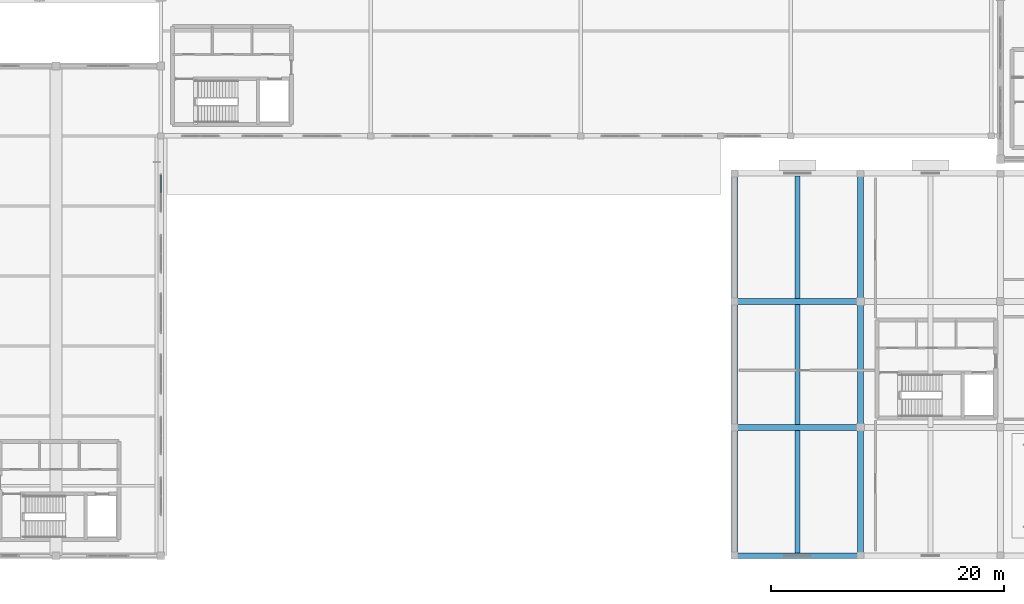
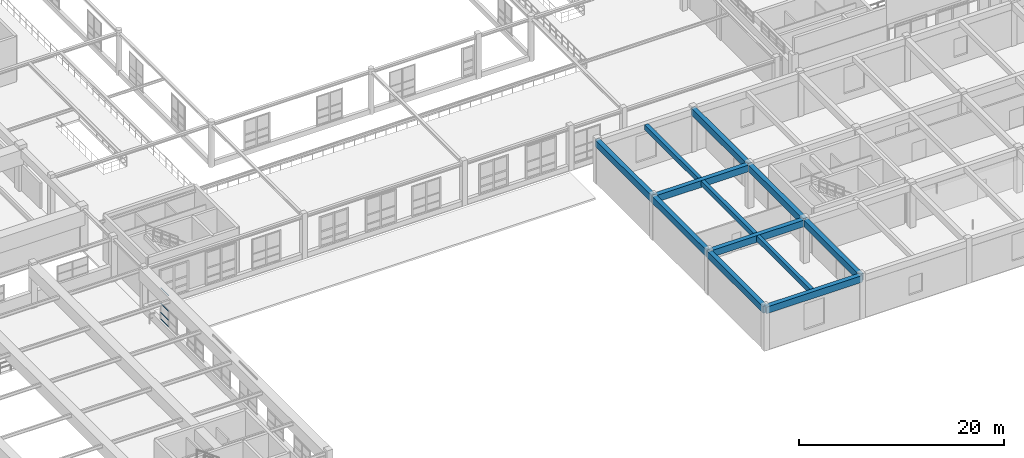
# One storey, part 43 of 197: 12 beams, 4 members, 1 element without a shape of its own.
"""IFC4 building model written with IfcOpenShell, lengths in metres."""

from ifc_helpers import new_model, si_unit, derived_unit, direction, frame, origin, origin_2d, place, context, subcontext, project, spatial, rectangle, hollow_rectangle, extrude, material, layer, layer_set, material_profile, profile_set, type_object, element, aggregate, save


model = new_model("IFC4")

# Units and contexts
model_context = context("Model", 3, precision=1e-05, world=origin(), true_north=direction((0.0, 1.0)))
body_context = subcontext(model_context, "Body", "Model", "MODEL_VIEW")
ifc_project = project(units=[si_unit("LENGTHUNIT", "METRE"), si_unit("AREAUNIT", "SQUARE_METRE"), si_unit("VOLUMEUNIT", "CUBIC_METRE"), si_unit("PLANEANGLEUNIT", "RADIAN"), si_unit("MASSUNIT", "GRAM", prefix="KILO"), derived_unit("THERMALTRANSMITTANCEUNIT", [(si_unit("POWERUNIT", "WATT"), 1), (si_unit("LENGTHUNIT", "METRE"), -2), (si_unit("THERMODYNAMICTEMPERATUREUNIT", "KELVIN"), -1)])], contexts=[model_context])

# Site, building, storey
site_placement = place(None, origin())
site = spatial("IfcSite", under=ifc_project, at=site_placement, CompositionType="ELEMENT")
building_placement = place(site_placement, origin())
building = spatial("IfcBuilding", under=site, at=building_placement, Name="Almenara Railside Exhibition Hall", CompositionType="ELEMENT")
storey_placement = place(building_placement, frame((0.0, 0.0, 5.39990234375)))
storey = spatial("IfcBuildingStorey", under=building, at=storey_placement, Name="L01", CompositionType="ELEMENT", Elevation=5.39990234375)

# Curtain wall, members
ifc_material_1 = material(Name="Bronze-anodised aluminium and low-E double glazing", Category="aluminium")
ifc_layer = layer(ifc_material_1, 0.179931640625, Name="Bronze-anodised aluminium and low-E double glazing")
ifc_layer_set = layer_set([ifc_layer], Name="Bronze-anodised aluminium and low-E double glazing")
curtain_wall_type = type_object("IfcCurtainWallType", Name="Scroll Gable Side Curtain Wall 3200x3800", PredefinedType="NOTDEFINED", material=ifc_layer_set)
curtain_wall_placement = place(storey_placement, origin())
curtain_wall = element("IfcCurtainWall", 1, at=curtain_wall_placement, inside=storey, type_object=curtain_wall_type, Name="Curtain wall CW-G4-118", PredefinedType="NOTDEFINED")
ifc_material_2 = material(Name="Bronze-anodised aluminium", Category="aluminium")
ifc_material_profile_1 = material_profile(ifc_material_2, hollow_rectangle(XDim=0.06005859375, YDim=0.110107421875, WallThickness=0.0029296875, InnerFilletRadius=0.0029296875, OuterFilletRadius=0.006103515625, at=origin_2d()), Name="ALU-TRN 60x110x3")
ifc_profile_set_1 = profile_set([ifc_material_profile_1], Name="Bronze-anodised aluminium")
member_type = type_object("IfcMemberType", Name="Curtain Wall Transom 60x110x3", PredefinedType="USERDEFINED", material=ifc_profile_set_1)
member_1_placement = place(storey_placement, frame((66.0, 31.1220703125, 1.005126953125), z_axis=(0.0, 1.0, 0.0), x_axis=(-1.0, 0.0, 0.0)))
member_1 = element("IfcMember", 2, at=member_1_placement, type_object=member_type, Name="CW-G4-118 transom 2.1", ObjectType="TRANSOM", PredefinedType="USERDEFINED", context=body_context, shape_type="SweptSolid", body=[
    extrude(hollow_rectangle(XDim=0.06005859375, YDim=0.110107421875, WallThickness=0.0029296875, InnerFilletRadius=0.0029296875, OuterFilletRadius=0.006103515625, at=origin_2d()), origin(), (0.0, 0.0, 1.0), 1.52587890625),
])
member_2_placement = place(storey_placement, frame((66.0, 31.1220703125, 1.800048828125), z_axis=(0.0, 1.0, 0.0), x_axis=(-1.0, 0.0, 0.0)))
member_2 = element("IfcMember", 3, at=member_2_placement, type_object=member_type, Name="CW-G4-118 transom 2.2", ObjectType="TRANSOM", PredefinedType="USERDEFINED", context=body_context, shape_type="SweptSolid", body=[
    extrude(hollow_rectangle(XDim=0.06005859375, YDim=0.110107421875, WallThickness=0.0029296875, InnerFilletRadius=0.0029296875, OuterFilletRadius=0.006103515625, at=origin_2d()), origin(), (0.0, 0.0, 1.0), 1.52587890625),
])
member_3_placement = place(storey_placement, frame((66.0, 31.1220703125, 2.85009765625), z_axis=(0.0, 1.0, 0.0), x_axis=(-1.0, 0.0, 0.0)))
member_3 = element("IfcMember", 4, at=member_3_placement, type_object=member_type, Name="CW-G4-118 transom 2.3", ObjectType="TRANSOM", PredefinedType="USERDEFINED", context=body_context, shape_type="SweptSolid", body=[
    extrude(hollow_rectangle(XDim=0.06005859375, YDim=0.110107421875, WallThickness=0.0029296875, InnerFilletRadius=0.0029296875, OuterFilletRadius=0.006103515625, at=origin_2d()), origin(), (0.0, 0.0, 1.0), 1.52587890625),
])
member_4_placement = place(storey_placement, frame((66.0, 31.1220703125, 4.695068359375), z_axis=(0.0, 1.0, 0.0), x_axis=(-1.0, 0.0, 0.0)))
member_4 = element("IfcMember", 5, at=member_4_placement, type_object=member_type, Name="CW-G4-118 transom 2.4", ObjectType="TRANSOM", PredefinedType="USERDEFINED", context=body_context, shape_type="SweptSolid", body=[
    extrude(hollow_rectangle(XDim=0.06005859375, YDim=0.110107421875, WallThickness=0.0029296875, InnerFilletRadius=0.0029296875, OuterFilletRadius=0.006103515625, at=origin_2d()), origin(), (0.0, 0.0, 1.0), 1.52587890625),
])
aggregate(curtain_wall, [member_1, member_2, member_3, member_4])

# Beams
ifc_material_3 = material(Name="Concrete C35/45", Category="concrete")
ifc_material_profile_2 = material_profile(ifc_material_3, rectangle(XDim=0.5, YDim=0.800048828125, at=origin_2d()), Name="RC 500x800")
ifc_profile_set_2 = profile_set([ifc_material_profile_2], Name="Concrete C35/45")
beam_type_1 = type_object("IfcBeamType", Name="RC Primary Beam 500x800 C35/45", PredefinedType="BEAM", material=ifc_profile_set_2)
for number, where, z_axis, x_axis, name in (
    (6, (115.199951171875, 0.0, 4.736083984375), (1.0, 0.0, 0.0), (0.0, 1.0, 0.0), "Beam 0168"),
    (7, (115.199951171875, 11.0, 4.736083984375), (1.0, 0.0, 0.0), (0.0, 1.0, 0.0), "Beam 0176"),
    (8, (115.199951171875, 21.800048828125, 4.736083984375), (1.0, 0.0, 0.0), (0.0, 1.0, 0.0), "Beam 0184"),
):
    element("IfcBeam", number, at=place(storey_placement, frame(where, z_axis=z_axis, x_axis=x_axis)), inside=storey, type_object=beam_type_1, Name=name, PredefinedType="BEAM", context=body_context, shape_type="SweptSolid", body=[
        extrude(rectangle(XDim=0.5, YDim=0.800048828125, at=origin_2d()), origin(), (0.0, 0.0, 1.0), 10.800048828125),
    ])
beam_1_placement = place(storey_placement, frame((115.199951171875, 0.0, 4.736083984375), z_axis=(0.0, 1.0, 0.0), x_axis=(-1.0, 0.0, 0.0)))
element("IfcBeam", 9, at=beam_1_placement, inside=storey, type_object=beam_type_1, Name="Beam 0200", PredefinedType="BEAM", context=body_context, shape_type="SweptSolid", body=[
    extrude(rectangle(XDim=0.5, YDim=0.800048828125, at=origin_2d()), origin(), (0.0, 0.0, 1.0), 11.0),
])
beam_2_placement = place(storey_placement, frame((115.199951171875, 11.0, 4.736083984375), z_axis=(0.0, 1.0, 0.0), x_axis=(-1.0, 0.0, 0.0)))
element("IfcBeam", 10, at=beam_2_placement, inside=storey, type_object=beam_type_1, Name="Beam 0201", PredefinedType="BEAM", context=body_context, shape_type="SweptSolid", body=[
    extrude(rectangle(XDim=0.5, YDim=0.800048828125, at=origin_2d()), origin(), (0.0, 0.0, 1.0), 10.800048828125),
])
for number, where, z_axis, x_axis, name in (
    (11, (115.199951171875, 21.800048828125, 4.736083984375), (0.0, 1.0, 0.0), (-1.0, 0.0, 0.0), "Beam 0202"),
    (12, (126.0, 0.0, 4.736083984375), (0.0, 1.0, 0.0), (-1.0, 0.0, 0.0), "Beam 0203"),
):
    element("IfcBeam", number, at=place(storey_placement, frame(where, z_axis=z_axis, x_axis=x_axis)), inside=storey, type_object=beam_type_1, Name=name, PredefinedType="BEAM", context=body_context, shape_type="SweptSolid", body=[
        extrude(rectangle(XDim=0.5, YDim=0.800048828125, at=origin_2d()), origin(), (0.0, 0.0, 1.0), 11.0),
    ])
beam_3_placement = place(storey_placement, frame((126.0, 11.0, 4.736083984375), z_axis=(0.0, 1.0, 0.0), x_axis=(-1.0, 0.0, 0.0)))
element("IfcBeam", 13, at=beam_3_placement, inside=storey, type_object=beam_type_1, Name="Beam 0204", PredefinedType="BEAM", context=body_context, shape_type="SweptSolid", body=[
    extrude(rectangle(XDim=0.5, YDim=0.800048828125, at=origin_2d()), origin(), (0.0, 0.0, 1.0), 10.800048828125),
])
beam_4_placement = place(storey_placement, frame((126.0, 21.800048828125, 4.736083984375), z_axis=(0.0, 1.0, 0.0), x_axis=(-1.0, 0.0, 0.0)))
element("IfcBeam", 14, at=beam_4_placement, inside=storey, type_object=beam_type_1, Name="Beam 0205", PredefinedType="BEAM", context=body_context, shape_type="SweptSolid", body=[
    extrude(rectangle(XDim=0.5, YDim=0.800048828125, at=origin_2d()), origin(), (0.0, 0.0, 1.0), 11.0),
])
ifc_material_profile_3 = material_profile(ifc_material_3, rectangle(XDim=0.39990234375, YDim=0.60009765625, at=origin_2d()), Name="RC 400x600")
ifc_profile_set_3 = profile_set([ifc_material_profile_3], Name="Concrete C35/45")
beam_type_2 = type_object("IfcBeamType", Name="RC Secondary Beam 400x600 C35/45", PredefinedType="BEAM", material=ifc_profile_set_3)
beam_5_placement = place(storey_placement, frame((120.60009765625, 0.25, 4.836181640625), z_axis=(0.0, 1.0, 0.0), x_axis=(-1.0, 0.0, 0.0)))
element("IfcBeam", 15, at=beam_5_placement, inside=storey, type_object=beam_type_2, Name="Beam 0228", PredefinedType="BEAM", context=body_context, shape_type="SweptSolid", body=[
    extrude(rectangle(XDim=0.39990234375, YDim=0.60009765625, at=origin_2d()), origin(), (0.0, 0.0, 1.0), 10.5),
])
beam_6_placement = place(storey_placement, frame((120.60009765625, 11.25, 4.836181640625), z_axis=(0.0, 1.0, 0.0), x_axis=(-1.0, 0.0, 0.0)))
element("IfcBeam", 16, at=beam_6_placement, inside=storey, type_object=beam_type_2, Name="Beam 0229", PredefinedType="BEAM", context=body_context, shape_type="SweptSolid", body=[
    extrude(rectangle(XDim=0.39990234375, YDim=0.60009765625, at=origin_2d()), origin(), (0.0, 0.0, 1.0), 10.300048828125),
])
beam_7_placement = place(storey_placement, frame((120.60009765625, 22.050048828125, 4.836181640625), z_axis=(0.0, 1.0, 0.0), x_axis=(-1.0, 0.0, 0.0)))
element("IfcBeam", 17, at=beam_7_placement, inside=storey, type_object=beam_type_2, Name="Beam 0230", PredefinedType="BEAM", context=body_context, shape_type="SweptSolid", body=[
    extrude(rectangle(XDim=0.39990234375, YDim=0.60009765625, at=origin_2d()), origin(), (0.0, 0.0, 1.0), 10.5),
])

save(model, "model.ifc")
